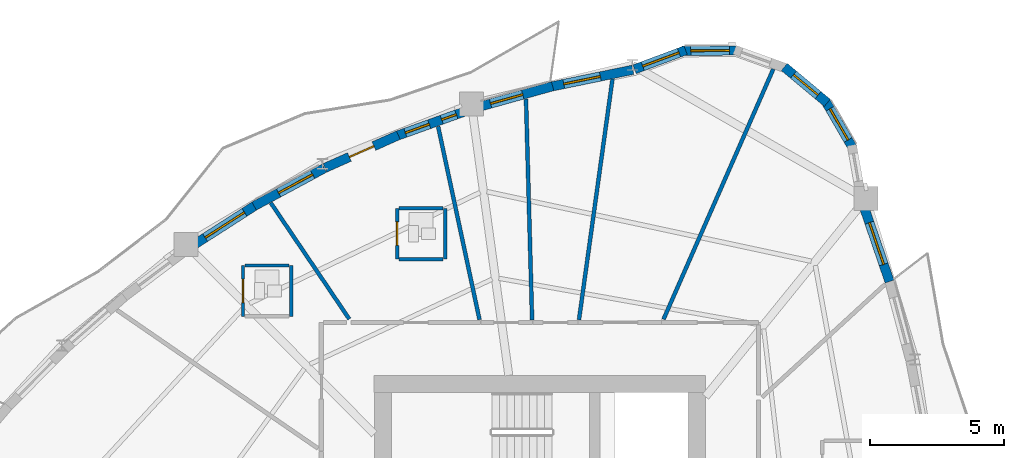
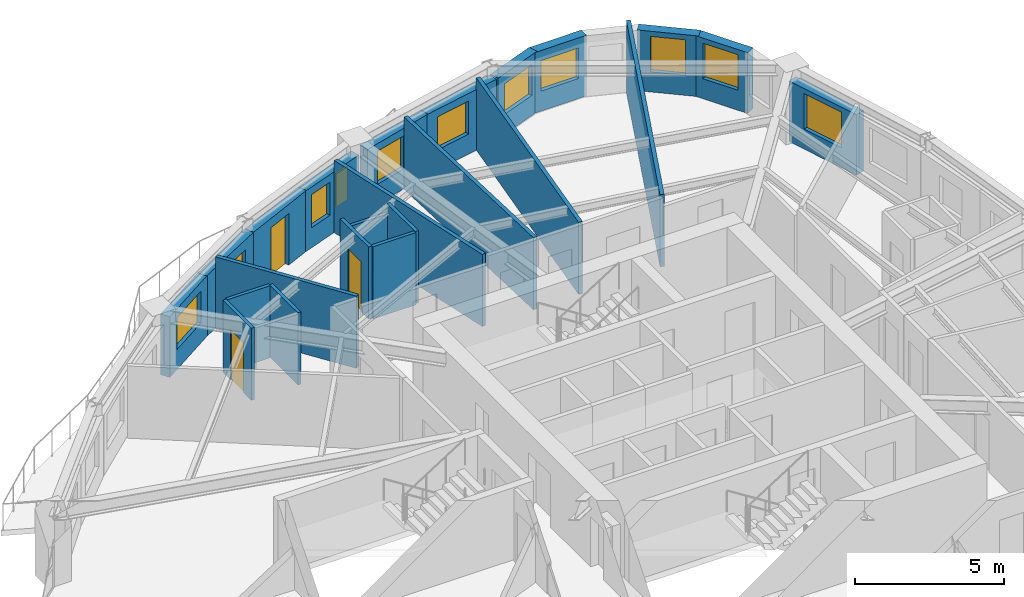
# One storey, part 9 of 14: 23 walls, 11 windows, 3 doors, 14 openings.
"""IFC4 building model written with IfcOpenShell, lengths in metres."""

import ifcopenshell
import ifcopenshell.guid

model = None  # the IFC model being written
_history = None  # IfcOwnerHistory: only IFC2X3 demands one
_inside = {}  # id of a spatial element -> (the spatial element, [elements in it])
_under = {}  # id of a project, library or spatial element -> (it, [spatial elements below it])
_declared = {}  # id of a project -> (the project, [libraries it declares])
_typed = {}  # id of a type object -> (the type object, [elements of that type])
_made_of = {}  # id of a material, layer set ... -> (it, [elements and type objects made of it])


def new_model(schema):
    """Start an empty IFC model of exactly this schema.

    Asked for "IFC4X3", IfcOpenShell would pick the latest addendum, in which some entities
    have other attributes; the version numbers below select the first issue.
    IFC2X3 requires an IfcOwnerHistory on every rooted entity: one is made here for all.
    """
    global model, _history
    if schema == "IFC4X3":
        model = ifcopenshell.file(schema_version=(4, 3, 0, 0))
    else:
        model = ifcopenshell.file(schema=schema)
    _inside.clear()
    _under.clear()
    _declared.clear()
    _typed.clear()
    _made_of.clear()
    _history = None
    if model.schema == "IFC2X3":
        org = make("IfcOrganization", Name="unknown")
        user = make(
            "IfcPersonAndOrganization",
            ThePerson=make("IfcPerson", FamilyName="unknown"),
            TheOrganization=org,
        )
        app = make(
            "IfcApplication",
            ApplicationDeveloper=org,
            Version="unknown",
            ApplicationFullName="unknown",
            ApplicationIdentifier="unknown",
        )
        _history = make(
            "IfcOwnerHistory",
            OwningUser=user,
            OwningApplication=app,
            ChangeAction="ADDED",
            CreationDate=0,
        )
    return model


def make(cls, **values):
    """One entity of the class cls with the attributes given. An attribute that is None is left unset."""
    return model.create_entity(
        cls, **{name: value for name, value in values.items() if value is not None}
    )


def rooted(cls, **values):
    """An entity with a GlobalId (a new one), such as an element, a storey or a relation."""
    return make(cls, GlobalId=ifcopenshell.guid.new(), OwnerHistory=_history, **values)


def si_unit(unit_type, name, prefix=None):
    """IfcSIUnit, for example si_unit("LENGTHUNIT", "METRE", prefix="MILLI")."""
    return make("IfcSIUnit", UnitType=unit_type, Prefix=prefix, Name=name)


def assignment(units):
    """IfcUnitAssignment: the units of a project."""
    return None if units is None else make("IfcUnitAssignment", Units=units)


def point(xyz):
    """IfcCartesianPoint."""
    return None if xyz is None else make("IfcCartesianPoint", Coordinates=xyz)


def direction(xyz):
    """IfcDirection."""
    return None if xyz is None else make("IfcDirection", DirectionRatios=xyz)


def frame(location, z_axis=None, x_axis=None):
    """IfcAxis2Placement3D, a coordinate frame: its origin and axes. An axis left out is left unset."""
    return make(
        "IfcAxis2Placement3D",
        Location=point(location),
        Axis=direction(z_axis),
        RefDirection=direction(x_axis),
    )


def frame_2d(location, x_axis=None):
    """IfcAxis2Placement2D, a coordinate frame in the plane: its origin and x axis."""
    return make(
        "IfcAxis2Placement2D", Location=point(location), RefDirection=direction(x_axis)
    )


def origin():
    """The frame at (0, 0, 0) with its axes left unset."""
    return frame((0.0, 0.0, 0.0))


def place(relative_to, where):
    """IfcLocalPlacement: puts the frame where relative to a parent placement (None: the world)."""
    return make(
        "IfcLocalPlacement", PlacementRelTo=relative_to, RelativePlacement=where
    )


def context(
    kind, dimensions, precision=None, world=None, true_north=None, identifier=None
):
    """IfcGeometricRepresentationContext, for example the 3D "Model" context."""
    return make(
        "IfcGeometricRepresentationContext",
        ContextIdentifier=identifier,
        ContextType=kind,
        CoordinateSpaceDimension=dimensions,
        Precision=precision,
        WorldCoordinateSystem=world,
        TrueNorth=true_north,
    )


def subcontext(parent, identifier, kind, view, scale=None):
    """IfcGeometricRepresentationSubContext, for example "Body" below "Model"."""
    return make(
        "IfcGeometricRepresentationSubContext",
        ContextIdentifier=identifier,
        ContextType=kind,
        ParentContext=parent,
        TargetScale=scale,
        TargetView=view,
    )


def project(units=None, contexts=None):
    """IfcProject with its units and contexts."""
    return rooted(
        "IfcProject",
        Name="project",
        RepresentationContexts=contexts,
        UnitsInContext=assignment(units),
    )


def spatial(cls, under=None, at=None, **own):
    """A site, building, storey or space (cls), placed at a placement, below another one or the project."""
    s = rooted(cls, ObjectPlacement=at, **own)
    if under is not None:
        _under.setdefault(under.id(), (under, []))[1].append(s)
    return s


def profile(cls, at=None, kind="AREA", **sizes):
    """A parametric profile (cls). Its sizes go by their IFC names, for example OverallWidth=200.0."""
    return make(cls, ProfileType=kind, Position=at, **sizes)


def rectangle(**sizes):
    """IfcRectangleProfileDef."""
    return profile("IfcRectangleProfileDef", **sizes)


def extrude(swept, where, along, depth):
    """IfcExtrudedAreaSolid: the profile swept, set in the frame where, extruded along a direction by depth."""
    return make(
        "IfcExtrudedAreaSolid",
        SweptArea=swept,
        Position=where,
        ExtrudedDirection=direction(along),
        Depth=depth,
    )


def shape(context_of_items, identifier, shape_type, items):
    """IfcShapeRepresentation: the items that make up one representation, for example the "Body"."""
    return make(
        "IfcShapeRepresentation",
        ContextOfItems=context_of_items,
        RepresentationIdentifier=identifier,
        RepresentationType=shape_type,
        Items=items,
    )


def source(mapping_origin, context_of_items, identifier, shape_type, items):
    """IfcRepresentationMap: a shape defined once, which mapped items show again and again."""
    return make(
        "IfcRepresentationMap",
        MappingOrigin=mapping_origin,
        MappedRepresentation=shape(context_of_items, identifier, shape_type, items),
    )


def transform(
    local_origin,
    x_axis=None,
    y_axis=None,
    z_axis=None,
    scale=None,
    scale2=None,
    scale3=None,
    uniform=True,
):
    """IfcCartesianTransformationOperator3D, or its non-uniform kind. x_axis, y_axis, z_axis: its Axis1, 2, 3."""
    if uniform:
        return make(
            "IfcCartesianTransformationOperator3D",
            Axis1=direction(x_axis),
            Axis2=direction(y_axis),
            LocalOrigin=point(local_origin),
            Scale=scale,
            Axis3=direction(z_axis),
        )
    return make(
        "IfcCartesianTransformationOperator3DnonUniform",
        Axis1=direction(x_axis),
        Axis2=direction(y_axis),
        LocalOrigin=point(local_origin),
        Scale=scale,
        Axis3=direction(z_axis),
        Scale2=scale2,
        Scale3=scale3,
    )


def mapped(mapping_source, mapping_target):
    """IfcMappedItem: shows the shape of a source again, moved by a transform."""
    return make(
        "IfcMappedItem", MappingSource=mapping_source, MappingTarget=mapping_target
    )


def material(Name=None, Category=None):
    """IfcMaterial."""
    return make("IfcMaterial", Name=Name, Category=Category)


def layer(
    of_material, thickness, ventilated=None, Name=None, Category=None, Priority=None
):
    """IfcMaterialLayer: one layer of a wall or slab, of a material (None: an air gap)."""
    return make(
        "IfcMaterialLayer",
        Material=of_material,
        LayerThickness=thickness,
        IsVentilated=ventilated,
        Name=Name,
        Category=Category,
        Priority=Priority,
    )


def layer_set(layers, Name=None):
    """IfcMaterialLayerSet."""
    return make("IfcMaterialLayerSet", MaterialLayers=layers, LayerSetName=Name)


def made_of(thing, what):
    """Note that an element or type object is made of a material, layer set ...; save() writes the relation."""
    if what is not None:
        _made_of.setdefault(what.id(), (what, []))[1].append(thing)
    return thing


def type_object(cls, material=None, **own):
    """A type object (cls), such as IfcWallType, which elements share."""
    return made_of(rooted(cls, **own), material)


def element(
    cls,
    number,
    at=None,
    inside=None,
    cuts=None,
    type_object=None,
    material=None,
    context=None,
    identifier="Body",
    shape_type=None,
    held_by="IfcProductDefinitionShape",
    body=None,
    shapes=None,
    **own,
):
    """One element of the class cls, such as IfcWall. Its Tag is "e" and its number.

    at: its placement. inside: the storey or other place that contains it. cuts: it is an
    opening in that element (IfcRelVoidsElement). A single representation is given by context,
    identifier, shape_type and body (its items); several are given by shapes. held_by: the class
    of the entity that holds the representations. save() writes the other relations.
    """
    e = rooted(cls, Tag="e%d" % number, ObjectPlacement=at, **own)
    if body is not None:
        shapes = [shape(context, identifier, shape_type, body)]
    if shapes is not None:
        e.Representation = make(held_by, Representations=shapes)
    if inside is not None:
        _inside.setdefault(inside.id(), (inside, []))[1].append(e)
    if cuts is not None:
        rooted(
            "IfcRelVoidsElement", RelatingBuildingElement=cuts, RelatedOpeningElement=e
        )
    if type_object is not None:
        _typed.setdefault(type_object.id(), (type_object, []))[1].append(e)
    return made_of(e, material)


def fill(opening, filler):
    """IfcRelFillsElement: the door or window that sits in an opening."""
    return rooted(
        "IfcRelFillsElement",
        RelatingOpeningElement=opening,
        RelatedBuildingElement=filler,
    )


def aggregate(whole, parts):
    """IfcRelAggregates: a whole, such as a stair, and the parts it consists of."""
    return rooted("IfcRelAggregates", RelatingObject=whole, RelatedObjects=parts)


def save(model, path):
    """Write the relations noted so far, then the file.

    IfcRelAggregates (storeys below a building ...), IfcRelContainedInSpatialStructure (elements
    in a storey), IfcRelDefinesByType, IfcRelAssociatesMaterial and IfcRelDeclares: one each for
    every whole, place, type object, material and project.
    """
    for whole, parts in _under.values():
        aggregate(whole, parts)
    for where, things in _inside.values():
        rooted(
            "IfcRelContainedInSpatialStructure",
            RelatedElements=things,
            RelatingStructure=where,
        )
    for kind, things in _typed.values():
        rooted("IfcRelDefinesByType", RelatedObjects=things, RelatingType=kind)
    for what, things in _made_of.values():
        rooted("IfcRelAssociatesMaterial", RelatedObjects=things, RelatingMaterial=what)
    for by, libraries in _declared.values():
        rooted("IfcRelDeclares", RelatingContext=by, RelatedDefinitions=libraries)
    model.write(path)


model = new_model("IFC4")

# Units and contexts
model_context = context("Model", 3, precision=1e-05, world=origin(), true_north=direction((0.0, 1.0)))
body_context = subcontext(model_context, "Body", "Model", "MODEL_VIEW")
ifc_project = project(units=[si_unit("LENGTHUNIT", "METRE"), si_unit("AREAUNIT", "SQUARE_METRE"), si_unit("VOLUMEUNIT", "CUBIC_METRE"), si_unit("PLANEANGLEUNIT", "RADIAN"), si_unit("MASSUNIT", "GRAM", prefix="KILO")], contexts=[model_context])

# Site, building, storey
site_placement = place(None, origin())
site = spatial("IfcSite", under=ifc_project, at=site_placement, CompositionType="ELEMENT")
building_placement = place(site_placement, origin())
building = spatial("IfcBuilding", under=site, at=building_placement, Name="Qafzar Sky-Pleat Residences", CompositionType="ELEMENT")
storey_placement = place(building_placement, frame((0.0, 0.0, 73.60009765625)))
storey = spatial("IfcBuildingStorey", under=building, at=storey_placement, Name="L21", CompositionType="ELEMENT", Elevation=73.60009765625)

# Walls
ifc_material_1 = material(Name="Acoustic gypsum plasterboard partition", Category="gypsum")
ifc_layer_1 = layer(ifc_material_1, 0.14501953125)
ifc_layer_set_1 = layer_set([ifc_layer_1], Name="Acoustic gypsum plasterboard partition")
wall_type_1 = type_object("IfcWallType", Name="PART-UNIT-145", PredefinedType="PARTITIONING", material=ifc_layer_set_1)
wall_1_placement = place(storey_placement, frame((34.97705078125, 36.54638671875, 0.0), z_axis=(0.0, 0.0, 1.0), x_axis=(0.40175384449, 0.915747699117, 0.0)))
element("IfcWall", 1, at=wall_1_placement, inside=storey, type_object=wall_type_1, Name="L21 Partition Wall PART-L21-PW-027", PredefinedType="PARTITIONING", context=body_context, shape_type="SweptSolid", body=[
    extrude(rectangle(XDim=10.229736328125, YDim=0.14501953125, at=frame_2d((5.11474609375, 0.0))), origin(), (0.0, 0.0, 1.0), 2.949951171875),
])
wall_2_placement = place(storey_placement, frame((31.813720703125, 36.52783203125, 0.0), z_axis=(0.0, 0.0, 1.0), x_axis=(0.137724115974, 0.990470629488, 0.0)))
element("IfcWall", 2, at=wall_2_placement, inside=storey, type_object=wall_type_1, Name="L21 Partition Wall PART-L21-PW-029", PredefinedType="PARTITIONING", context=body_context, shape_type="SweptSolid", body=[
    extrude(rectangle(XDim=9.09912109375, YDim=0.14501953125, at=frame_2d((4.549560546875, 0.0))), origin(), (0.0, 0.0, 1.0), 2.949951171875),
])
wall_3_placement = place(storey_placement, frame((29.830078125, 44.785400390625, 0.0), z_axis=(0.0, 0.0, 1.0), x_axis=(0.027636759054, -0.999618031825, 0.0)))
element("IfcWall", 3, at=wall_3_placement, inside=storey, type_object=wall_type_1, Name="L21 Partition Wall PART-L21-PW-032", PredefinedType="PARTITIONING", context=body_context, shape_type="SweptSolid", body=[
    extrude(rectangle(XDim=8.2685546875, YDim=0.14501953125, at=frame_2d((4.13427734375, 0.0))), origin(), (0.0, 0.0, 1.0), 2.949951171875),
])
wall_4_placement = place(storey_placement, frame((26.541015625, 43.765625, 0.0), z_axis=(0.0, 0.0, 1.0), x_axis=(0.209522326513, -0.9778038631, 0.0)))
element("IfcWall", 4, at=wall_4_placement, inside=storey, type_object=wall_type_1, Name="L21 Partition Wall PART-L21-PW-034", PredefinedType="PARTITIONING", context=body_context, shape_type="SweptSolid", body=[
    extrude(rectangle(XDim=7.396728515625, YDim=0.14501953125, at=frame_2d((3.6982421875, 0.0))), origin(), (0.0, 0.0, 1.0), 2.949951171875),
])
wall_5_placement = place(storey_placement, frame((20.277099609375, 40.90625, 0.0), z_axis=(0.0, 0.0, 1.0), x_axis=(0.559905741259, -0.828556311246, 0.0)))
element("IfcWall", 5, at=wall_5_placement, inside=storey, type_object=wall_type_1, Name="L21 Partition Wall PART-L21-PW-041", PredefinedType="PARTITIONING", context=body_context, shape_type="SweptSolid", body=[
    extrude(rectangle(XDim=5.2490234375, YDim=0.14501953125, at=frame_2d((2.62451171875, 0.0))), origin(), (0.0, 0.0, 1.0), 2.949951171875),
])

# Wall, opening, door
ifc_material_2 = material(Name="Moisture-resistant gypsum partition", Category="gypsum")
ifc_layer_2 = layer(ifc_material_2, 0.1298828125)
ifc_layer_set_2 = layer_set([ifc_layer_2], Name="Moisture-resistant gypsum partition")
wall_type_2 = type_object("IfcWallType", Name="PART-WET-130", PredefinedType="PARTITIONING", material=ifc_layer_set_2)
wall_6_placement = place(storey_placement, frame((25.0048828125, 40.700927734375, 0.0), z_axis=(0.0, 0.0, 1.0), x_axis=(0.0, -1.0, 0.0)))
wall_6 = element("IfcWall", 6, at=wall_6_placement, inside=storey, type_object=wall_type_2, Name="L21 Partition Wall PART-L21-PW-018", PredefinedType="PARTITIONING", context=body_context, shape_type="SweptSolid", body=[
    extrude(rectangle(XDim=1.89990234375, YDim=0.1298828125, at=frame_2d((0.949951171875, 0.0))), origin(), (0.0, 0.0, 1.0), 2.949951171875),
])
opening_1_placement = place(wall_6_placement, frame((0.510009765625, 0.0, 0.0)))
opening_1 = element("IfcOpeningElement", 7, at=opening_1_placement, cuts=wall_6, Name="Opening ID-07", PredefinedType="OPENING", context=body_context, shape_type="SweptSolid", body=[
    extrude(rectangle(XDim=0.8798828125, YDim=2.050048828125, at=frame_2d((0.43994140625, 1.02490234375))), frame((0.0, 0.074951171875, 0.0), z_axis=(0.0, -1.0, 0.0), x_axis=(1.0, 0.0, 0.0)), (0.0, 0.0, 1.0), 0.14990234375),
])
ifc_material_3 = material(Name="Timber-faced fire door", Category="wood")
door_type_1 = type_object("IfcDoorType", Name="DR-WET-880", OperationType="NOTDEFINED", PredefinedType="DOOR", material=ifc_material_3)
shared_shape_1 = source(origin(), body_context, "Body", "SweptSolid", [
    extrude(rectangle(XDim=0.8798828125, YDim=2.050048828125, at=frame_2d((0.43994140625, 1.02490234375))), frame((0.0, 0.02490234375, 0.0), z_axis=(0.0, -1.0, 0.0), x_axis=(1.0, 0.0, 0.0)), (0.0, 0.0, 1.0), 0.050048828125),
])
door_1_placement = place(opening_1_placement, origin())
door_1 = element("IfcDoor", 8, at=door_1_placement, inside=storey, type_object=door_type_1, Name="L21 En-suite Bathroom 3 Door", OperationType="SINGLE_SWING_RIGHT", OverallHeight=2.050048828125, OverallWidth=0.8798828125, PredefinedType="DOOR", context=body_context, shape_type="MappedRepresentation", body=[
    mapped(shared_shape_1, transform((0.0, 0.0, 0.0), x_axis=(1.0, 0.0, 0.0), y_axis=(0.0, 1.0, 0.0), z_axis=(0.0, 0.0, 1.0), scale=1.0)),
])
fill(opening_1, door_1)

wall_7_placement = place(storey_placement, frame((19.237060546875, 38.56103515625, 0.0), z_axis=(0.0, 0.0, 1.0), x_axis=(0.0, -1.0, 0.0)))
wall_7 = element("IfcWall", 9, at=wall_7_placement, inside=storey, type_object=wall_type_2, Name="L21 Partition Wall PART-L21-PW-019", PredefinedType="PARTITIONING", context=body_context, shape_type="SweptSolid", body=[
    extrude(rectangle(XDim=1.900146484375, YDim=0.1298828125, at=frame_2d((0.9501953125, 0.0))), origin(), (0.0, 0.0, 1.0), 2.949951171875),
])
opening_2_placement = place(wall_7_placement, frame((0.510009765625, 0.0, 0.0)))
opening_2 = element("IfcOpeningElement", 10, at=opening_2_placement, cuts=wall_7, Name="Opening ID-07", PredefinedType="OPENING", context=body_context, shape_type="SweptSolid", body=[
    extrude(rectangle(XDim=0.8798828125, YDim=2.050048828125, at=frame_2d((0.43994140625, 1.02490234375))), frame((0.0, 0.074951171875, 0.0), z_axis=(0.0, -1.0, 0.0), x_axis=(1.0, 0.0, 0.0)), (0.0, 0.0, 1.0), 0.14990234375),
])
door_2_placement = place(opening_2_placement, origin())
door_2 = element("IfcDoor", 11, at=door_2_placement, inside=storey, type_object=door_type_1, Name="L21 En-suite Bathroom 4 Door", OperationType="SINGLE_SWING_LEFT", OverallHeight=2.050048828125, OverallWidth=0.8798828125, PredefinedType="DOOR", context=body_context, shape_type="MappedRepresentation", body=[
    mapped(shared_shape_1, transform((0.0, 0.0, 0.0), x_axis=(1.0, 0.0, 0.0), y_axis=(0.0, 1.0, 0.0), z_axis=(0.0, 0.0, 1.0), scale=1.0)),
])
fill(opening_2, door_2)

# Walls
wall_8_placement = place(storey_placement, frame((26.804931640625, 38.801025390625, 0.0), z_axis=(0.0, 0.0, 1.0), x_axis=(0.0, 1.0, 0.0)))
element("IfcWall", 12, at=wall_8_placement, inside=storey, type_object=wall_type_2, Name="L21 Partition Wall PART-L21-PW-048", PredefinedType="PARTITIONING", context=body_context, shape_type="SweptSolid", body=[
    extrude(rectangle(XDim=1.89990234375, YDim=0.1298828125, at=frame_2d((0.949951171875, 0.0))), origin(), (0.0, 0.0, 1.0), 2.949951171875),
])
wall_9_placement = place(storey_placement, frame((21.037109375, 36.660888671875, 0.0), z_axis=(0.0, 0.0, 1.0), x_axis=(0.0, 1.0, 0.0)))
element("IfcWall", 13, at=wall_9_placement, inside=storey, type_object=wall_type_2, Name="L21 Partition Wall PART-L21-PW-049", PredefinedType="PARTITIONING", context=body_context, shape_type="SweptSolid", body=[
    extrude(rectangle(XDim=1.900146484375, YDim=0.1298828125, at=frame_2d((0.9501953125, 0.0))), origin(), (0.0, 0.0, 1.0), 2.949951171875),
])
wall_10_placement = place(storey_placement, frame((25.077880859375, 40.700927734375, 0.0), z_axis=(0.0, 0.0, 1.0), x_axis=(1.0, 0.0, 0.0)))
element("IfcWall", 14, at=wall_10_placement, inside=storey, type_object=wall_type_2, Name="L21 Partition Wall PART-L21-PW-054", PredefinedType="PARTITIONING", context=body_context, shape_type="SweptSolid", body=[
    extrude(rectangle(XDim=1.654052734375, YDim=0.1298828125, at=frame_2d((0.8271484375, 0.0))), origin(), (0.0, 0.0, 1.0), 2.557861328125),
])
for number, where, z_axis, x_axis, name in (
    (15, (25.077880859375, 38.801025390625, 0.0), (0.0, 0.0, 1.0), (1.0, 0.0, 0.0), "L21 Partition Wall PART-L21-PW-055"),
    (16, (19.31005859375, 38.56103515625, 0.0), (0.0, 0.0, 1.0), (1.0, 0.0, 0.0), "L21 Partition Wall PART-L21-PW-056"),
):
    element("IfcWall", number, at=place(storey_placement, frame(where, z_axis=z_axis, x_axis=x_axis)), inside=storey, type_object=wall_type_2, Name=name, PredefinedType="PARTITIONING", context=body_context, shape_type="SweptSolid", body=[
        extrude(rectangle(XDim=1.654052734375, YDim=0.1298828125, at=frame_2d((0.8271484375, 0.0))), origin(), (0.0, 0.0, 1.0), 2.949951171875),
    ])

# Wall, opening, window
ifc_material_4 = material(Name="Precast concrete C40/50 with honed Riyadh limestone", Category="concrete")
ifc_layer_3 = layer(ifc_material_4, 0.35009765625)
ifc_layer_set_3 = layer_set([ifc_layer_3], Name="Precast concrete C40/50 with honed Riyadh limestone")
wall_type_3 = type_object("IfcWallType", Name="WALL-EXT-350", PredefinedType="SOLIDWALL", material=ifc_layer_set_3)
wall_11_placement = place(storey_placement, frame((43.437255859375, 37.9609375, 0.0), z_axis=(0.0, 0.0, 1.0), x_axis=(-0.323572555921, 0.946203361363, 0.0)))
wall_11 = element("IfcWall", 17, at=wall_11_placement, inside=storey, type_object=wall_type_3, Name="L21 Limestone Facade Wall 32", PredefinedType="SOLIDWALL", context=body_context, shape_type="SweptSolid", body=[
    extrude(rectangle(XDim=2.997802734375, YDim=0.35009765625, at=frame_2d((1.4990234375, 0.0))), origin(), (0.0, 0.0, 1.0), 2.47998046875),
])
opening_3_placement = place(wall_11_placement, frame((0.6787109375, 0.0, 0.820068359375)))
opening_3 = element("IfcOpeningElement", 18, at=opening_3_placement, cuts=wall_11, Name="Opening WN-02", PredefinedType="OPENING", context=body_context, shape_type="SweptSolid", body=[
    extrude(rectangle(XDim=1.64990234375, YDim=1.449951171875, at=frame_2d((0.824951171875, 0.72509765625))), frame((0.0, 0.18505859375, 0.0), z_axis=(0.0, -1.0, 0.0), x_axis=(1.0, 0.0, 0.0)), (0.0, 0.0, 1.0), 0.3701171875),
])
ifc_material_5 = material(Name="Solar-control low-E glass in bronze aluminium frame", Category="glass")
window_type_1 = type_object("IfcWindowType", Name="WIN-02", PartitioningType="DOUBLE_PANEL_VERTICAL", PredefinedType="WINDOW", material=ifc_material_5)
shared_shape_2 = source(origin(), body_context, "Body", "SweptSolid", [
    extrude(rectangle(XDim=1.64990234375, YDim=1.449951171875, at=frame_2d((0.824951171875, 0.72509765625))), frame((0.0, 0.030029296875, 0.0), z_axis=(0.0, -1.0, 0.0), x_axis=(1.0, 0.0, 0.0)), (0.0, 0.0, 1.0), 0.06005859375),
])
window_1_placement = place(opening_3_placement, origin())
window_1 = element("IfcWindow", 19, at=window_1_placement, inside=storey, type_object=window_type_1, Name="L21 Punched Facade Window 32", OverallHeight=1.449951171875, OverallWidth=1.64990234375, PartitioningType="SINGLE_PANEL", PredefinedType="WINDOW", context=body_context, shape_type="MappedRepresentation", body=[
    mapped(shared_shape_2, transform((0.0, 0.0, 0.0), x_axis=(1.0, 0.0, 0.0), y_axis=(0.0, 1.0, 0.0), z_axis=(0.0, 0.0, 1.0), scale=1.0)),
])
fill(opening_3, window_1)

wall_12_placement = place(storey_placement, frame((42.074951171875, 42.93798828125, 0.0), z_axis=(0.0, 0.0, 1.0), x_axis=(-0.501902596059, 0.864924149315, 0.0)))
wall_12 = element("IfcWall", 20, at=wall_12_placement, inside=storey, type_object=wall_type_3, Name="L21 Limestone Facade Wall 34", PredefinedType="SOLIDWALL", context=body_context, shape_type="SweptSolid", body=[
    extrude(rectangle(XDim=2.098876953125, YDim=0.35009765625, at=frame_2d((1.04931640625, 0.0))), origin(), (0.0, 0.0, 1.0), 2.47998046875),
])
opening_4_placement = place(wall_12_placement, frame((0.37451171875, 0.0, 0.820068359375)))
opening_4 = element("IfcOpeningElement", 21, at=opening_4_placement, cuts=wall_12, Name="Opening WN-04", PredefinedType="OPENING", context=body_context, shape_type="SweptSolid", body=[
    extrude(rectangle(XDim=1.35009765625, YDim=1.449951171875, at=frame_2d((0.675048828125, 0.72509765625))), frame((0.0, 0.18505859375, 0.0), z_axis=(0.0, -1.0, 0.0), x_axis=(1.0, 0.0, 0.0)), (0.0, 0.0, 1.0), 0.3701171875),
])
window_type_2 = type_object("IfcWindowType", Name="WIN-04", PartitioningType="SINGLE_PANEL", PredefinedType="WINDOW", material=ifc_material_5)
shared_shape_3 = source(origin(), body_context, "Body", "SweptSolid", [
    extrude(rectangle(XDim=1.35009765625, YDim=1.449951171875, at=frame_2d((0.675048828125, 0.72509765625))), frame((0.0, 0.030029296875, 0.0), z_axis=(0.0, -1.0, 0.0), x_axis=(1.0, 0.0, 0.0)), (0.0, 0.0, 1.0), 0.06005859375),
])
window_2_placement = place(opening_4_placement, origin())
window_2 = element("IfcWindow", 22, at=window_2_placement, inside=storey, type_object=window_type_2, Name="L21 Punched Facade Window 34", OverallHeight=1.449951171875, OverallWidth=1.35009765625, PartitioningType="SINGLE_PANEL", PredefinedType="WINDOW", context=body_context, shape_type="MappedRepresentation", body=[
    mapped(shared_shape_3, transform((0.0, 0.0, 0.0), x_axis=(1.0, 0.0, 0.0), y_axis=(0.0, 1.0, 0.0), z_axis=(0.0, 0.0, 1.0), scale=1.0)),
])
fill(opening_4, window_2)

wall_13_placement = place(storey_placement, frame((41.10888671875, 44.649658203125, 0.0), z_axis=(0.0, 0.0, 1.0), x_axis=(-0.768450068703, 0.639909752942, 0.0)))
wall_13 = element("IfcWall", 23, at=wall_13_placement, inside=storey, type_object=wall_type_3, Name="L21 Limestone Facade Wall 35", PredefinedType="SOLIDWALL", context=body_context, shape_type="SweptSolid", body=[
    extrude(rectangle(XDim=2.098876953125, YDim=0.35009765625, at=frame_2d((1.04931640625, 0.0))), origin(), (0.0, 0.0, 1.0), 2.47998046875),
])
opening_5_placement = place(wall_13_placement, frame((0.449462890625, 0.0, 0.820068359375)))
opening_5 = element("IfcOpeningElement", 24, at=opening_5_placement, cuts=wall_13, Name="Opening WN-05", PredefinedType="OPENING", context=body_context, shape_type="SweptSolid", body=[
    extrude(rectangle(XDim=1.199951171875, YDim=1.449951171875, at=frame_2d((0.60009765625, 0.72509765625))), frame((0.0, 0.18505859375, 0.0), z_axis=(0.0, -1.0, 0.0), x_axis=(1.0, 0.0, 0.0)), (0.0, 0.0, 1.0), 0.3701171875),
])
window_type_3 = type_object("IfcWindowType", Name="WIN-05", PartitioningType="SINGLE_PANEL", PredefinedType="WINDOW", material=ifc_material_5)
shared_shape_4 = source(origin(), body_context, "Body", "SweptSolid", [
    extrude(rectangle(XDim=1.199951171875, YDim=1.449951171875, at=frame_2d((0.60009765625, 0.72509765625))), frame((0.0, 0.030029296875, 0.0), z_axis=(0.0, -1.0, 0.0), x_axis=(1.0, 0.0, 0.0)), (0.0, 0.0, 1.0), 0.06005859375),
])
window_3_placement = place(opening_5_placement, origin())
window_3 = element("IfcWindow", 25, at=window_3_placement, inside=storey, type_object=window_type_3, Name="L21 Punched Facade Window 35", OverallHeight=1.449951171875, OverallWidth=1.199951171875, PartitioningType="SINGLE_PANEL", PredefinedType="WINDOW", context=body_context, shape_type="MappedRepresentation", body=[
    mapped(shared_shape_4, transform((0.0, 0.0, 0.0), x_axis=(1.0, 0.0, 0.0), y_axis=(0.0, 1.0, 0.0), z_axis=(0.0, 0.0, 1.0), scale=1.0)),
])
fill(opening_5, window_3)

wall_14_placement = place(storey_placement, frame((37.771728515625, 46.610107421875, 0.0), z_axis=(0.0, 0.0, 1.0), x_axis=(-0.999976451414, -0.006862697526, 0.0)))
wall_14 = element("IfcWall", 26, at=wall_14_placement, inside=storey, type_object=wall_type_3, Name="L21 Limestone Facade Wall 37", PredefinedType="SOLIDWALL", context=body_context, shape_type="SweptSolid", body=[
    extrude(rectangle(XDim=2.098876953125, YDim=0.35009765625, at=frame_2d((1.04931640625, 0.0))), origin(), (0.0, 0.0, 1.0), 2.47998046875),
])
opening_6_placement = place(wall_14_placement, frame((0.324462890625, 0.0, 0.820068359375)))
opening_6 = element("IfcOpeningElement", 27, at=opening_6_placement, cuts=wall_14, Name="Opening WN-15", PredefinedType="OPENING", context=body_context, shape_type="SweptSolid", body=[
    extrude(rectangle(XDim=1.449951171875, YDim=1.25, at=frame_2d((0.72509765625, 0.625))), frame((0.0, 0.18505859375, 0.0), z_axis=(0.0, -1.0, 0.0), x_axis=(1.0, 0.0, 0.0)), (0.0, 0.0, 1.0), 0.3701171875),
])
window_type_4 = type_object("IfcWindowType", Name="WIN-15", PartitioningType="SINGLE_PANEL", PredefinedType="WINDOW", material=ifc_material_5)
shared_shape_5 = source(origin(), body_context, "Body", "SweptSolid", [
    extrude(rectangle(XDim=1.449951171875, YDim=1.25, at=frame_2d((0.72509765625, 0.625))), frame((0.0, 0.030029296875, 0.0), z_axis=(0.0, -1.0, 0.0), x_axis=(1.0, 0.0, 0.0)), (0.0, 0.0, 1.0), 0.06005859375),
])
window_4_placement = place(opening_6_placement, origin())
window_4 = element("IfcWindow", 28, at=window_4_placement, inside=storey, type_object=window_type_4, Name="L21 Punched Facade Window 37", OverallHeight=1.25, OverallWidth=1.449951171875, PartitioningType="SINGLE_PANEL", PredefinedType="WINDOW", context=body_context, shape_type="MappedRepresentation", body=[
    mapped(shared_shape_5, transform((0.0, 0.0, 0.0), x_axis=(1.0, 0.0, 0.0), y_axis=(0.0, 1.0, 0.0), z_axis=(0.0, 0.0, 1.0), scale=1.0)),
])
fill(opening_6, window_4)

wall_15_placement = place(storey_placement, frame((35.806396484375, 46.6201171875, 0.0), z_axis=(0.0, 0.0, 1.0), x_axis=(-0.936863987578, -0.34969396446, 0.0)))
wall_15 = element("IfcWall", 29, at=wall_15_placement, inside=storey, type_object=wall_type_3, Name="L21 Limestone Facade Wall 38", PredefinedType="SOLIDWALL", context=body_context, shape_type="SweptSolid", body=[
    extrude(rectangle(XDim=2.040771484375, YDim=0.35009765625, at=frame_2d((1.0205078125, 0.0))), origin(), (0.0, 0.0, 1.0), 2.47998046875),
])
opening_7_placement = place(wall_15_placement, frame((0.265380859375, 0.0, 0.820068359375)))
opening_7 = element("IfcOpeningElement", 30, at=opening_7_placement, cuts=wall_15, Name="Opening WN-15", PredefinedType="OPENING", context=body_context, shape_type="SweptSolid", body=[
    extrude(rectangle(XDim=1.449951171875, YDim=1.25, at=frame_2d((0.72509765625, 0.625))), frame((0.0, 0.18505859375, 0.0), z_axis=(0.0, -1.0, 0.0), x_axis=(1.0, 0.0, 0.0)), (0.0, 0.0, 1.0), 0.3701171875),
])
window_5_placement = place(opening_7_placement, origin())
window_5 = element("IfcWindow", 31, at=window_5_placement, inside=storey, type_object=window_type_4, Name="L21 Punched Facade Window 38", OverallHeight=1.25, OverallWidth=1.449951171875, PartitioningType="SINGLE_PANEL", PredefinedType="WINDOW", context=body_context, shape_type="MappedRepresentation", body=[
    mapped(shared_shape_5, transform((0.0, 0.0, 0.0), x_axis=(1.0, 0.0, 0.0), y_axis=(0.0, 1.0, 0.0), z_axis=(0.0, 0.0, 1.0), scale=1.0)),
])
fill(opening_7, window_5)

wall_16_placement = place(storey_placement, frame((33.830322265625, 45.887939453125, 0.0), z_axis=(0.0, 0.0, 1.0), x_axis=(-0.979439051097, -0.201740291429, 0.0)))
wall_16 = element("IfcWall", 32, at=wall_16_placement, inside=storey, type_object=wall_type_3, Name="L21 Limestone Facade Wall 39", PredefinedType="SOLIDWALL", context=body_context, shape_type="SweptSolid", body=[
    extrude(rectangle(XDim=3.15380859375, YDim=0.35009765625, at=frame_2d((1.576904296875, 0.0))), origin(), (0.0, 0.0, 1.0), 2.47998046875),
])
opening_8_placement = place(wall_16_placement, frame((1.241943359375, 0.0, 0.820068359375)))
opening_8 = element("IfcOpeningElement", 33, at=opening_8_placement, cuts=wall_16, Name="Opening WN-10", PredefinedType="OPENING", context=body_context, shape_type="SweptSolid", body=[
    extrude(rectangle(XDim=1.39990234375, YDim=1.35009765625, at=frame_2d((0.699951171875, 0.675048828125))), frame((0.0, 0.18505859375, 0.0), z_axis=(0.0, -1.0, 0.0), x_axis=(1.0, 0.0, 0.0)), (0.0, 0.0, 1.0), 0.3701171875),
])
window_type_5 = type_object("IfcWindowType", Name="WIN-10", PartitioningType="SINGLE_PANEL", PredefinedType="WINDOW", material=ifc_material_5)
shared_shape_6 = source(origin(), body_context, "Body", "SweptSolid", [
    extrude(rectangle(XDim=1.39990234375, YDim=1.35009765625, at=frame_2d((0.699951171875, 0.675048828125))), frame((0.0, 0.030029296875, 0.0), z_axis=(0.0, -1.0, 0.0), x_axis=(1.0, 0.0, 0.0)), (0.0, 0.0, 1.0), 0.06005859375),
])
window_6_placement = place(opening_8_placement, origin())
window_6 = element("IfcWindow", 34, at=window_6_placement, inside=storey, type_object=window_type_5, Name="L21 Punched Facade Window 39-2", OverallHeight=1.35009765625, OverallWidth=1.39990234375, PartitioningType="SINGLE_PANEL", PredefinedType="WINDOW", context=body_context, shape_type="MappedRepresentation", body=[
    mapped(shared_shape_6, transform((0.0, 0.0, 0.0), x_axis=(1.0, 0.0, 0.0), y_axis=(0.0, 1.0, 0.0), z_axis=(0.0, 0.0, 1.0), scale=1.0)),
])
fill(opening_8, window_6)

wall_17_placement = place(storey_placement, frame((30.8271484375, 45.2724609375, 0.0), z_axis=(0.0, 0.0, 1.0), x_axis=(-0.963061576901, -0.269281263918, 0.0)))
wall_17 = element("IfcWall", 35, at=wall_17_placement, inside=storey, type_object=wall_type_3, Name="L21 Limestone Facade Wall 40", PredefinedType="SOLIDWALL", context=body_context, shape_type="SweptSolid", body=[
    extrude(rectangle(XDim=2.883056640625, YDim=0.35009765625, at=frame_2d((1.44140625, 0.0))), origin(), (0.0, 0.0, 1.0), 2.47998046875),
])
opening_9_placement = place(wall_17_placement, frame((1.162841796875, 0.0, 0.820068359375)))
opening_9 = element("IfcOpeningElement", 36, at=opening_9_placement, cuts=wall_17, Name="Opening WN-11", PredefinedType="OPENING", context=body_context, shape_type="SweptSolid", body=[
    extrude(rectangle(XDim=1.25, YDim=1.35009765625, at=frame_2d((0.625, 0.675048828125))), frame((0.0, 0.18505859375, 0.0), z_axis=(0.0, -1.0, 0.0), x_axis=(1.0, 0.0, 0.0)), (0.0, 0.0, 1.0), 0.3701171875),
])
window_type_6 = type_object("IfcWindowType", Name="WIN-11", PartitioningType="SINGLE_PANEL", PredefinedType="WINDOW", material=ifc_material_5)
shared_shape_7 = source(origin(), body_context, "Body", "SweptSolid", [
    extrude(rectangle(XDim=1.25, YDim=1.35009765625, at=frame_2d((0.625, 0.675048828125))), frame((0.0, 0.030029296875, 0.0), z_axis=(0.0, -1.0, 0.0), x_axis=(1.0, 0.0, 0.0)), (0.0, 0.0, 1.0), 0.06005859375),
])
window_7_placement = place(opening_9_placement, origin())
window_7 = element("IfcWindow", 37, at=window_7_placement, inside=storey, type_object=window_type_6, Name="L21 Punched Facade Window 40-2", OverallHeight=1.35009765625, OverallWidth=1.25, PartitioningType="SINGLE_PANEL", PredefinedType="WINDOW", context=body_context, shape_type="MappedRepresentation", body=[
    mapped(shared_shape_7, transform((0.0, 0.0, 0.0), x_axis=(1.0, 0.0, 0.0), y_axis=(0.0, 1.0, 0.0), z_axis=(0.0, 0.0, 1.0), scale=1.0)),
])
fill(opening_9, window_7)

# Wall, openings, windows
wall_18_placement = place(storey_placement, frame((27.63427734375, 44.363037109375, 0.0), z_axis=(0.0, 0.0, 1.0), x_axis=(-0.941122275829, -0.3380663573, 0.0)))
wall_18 = element("IfcWall", 38, at=wall_18_placement, inside=storey, type_object=wall_type_3, Name="L21 Limestone Facade Wall 41", PredefinedType="SOLIDWALL", context=body_context, shape_type="SweptSolid", body=[
    extrude(rectangle(XDim=2.8330078125, YDim=0.35009765625, at=frame_2d((1.41650390625, 0.0))), origin(), (0.0, 0.0, 1.0), 2.47998046875),
])
opening_10_placement = place(wall_18_placement, frame((0.438720703125, 0.0, 0.820068359375)))
opening_10 = element("IfcOpeningElement", 39, at=opening_10_placement, cuts=wall_18, Name="Opening WN-17", PredefinedType="OPENING", context=body_context, shape_type="SweptSolid", body=[
    extrude(rectangle(XDim=0.580078125, YDim=1.35009765625, at=frame_2d((0.2900390625, 0.675048828125))), frame((0.0, 0.18505859375, 0.0), z_axis=(0.0, -1.0, 0.0), x_axis=(1.0, 0.0, 0.0)), (0.0, 0.0, 1.0), 0.3701171875),
])
opening_11_placement = place(wall_18_placement, frame((1.515380859375, 0.0, 0.820068359375)))
opening_11 = element("IfcOpeningElement", 40, at=opening_11_placement, cuts=wall_18, Name="Opening WN-12", PredefinedType="OPENING", context=body_context, shape_type="SweptSolid", body=[
    extrude(rectangle(XDim=0.949951171875, YDim=1.35009765625, at=frame_2d((0.47509765625, 0.675048828125))), frame((0.0, 0.18505859375, 0.0), z_axis=(0.0, -1.0, 0.0), x_axis=(1.0, 0.0, 0.0)), (0.0, 0.0, 1.0), 0.3701171875),
])
window_type_7 = type_object("IfcWindowType", Name="WIN-12", PartitioningType="SINGLE_PANEL", PredefinedType="WINDOW", material=ifc_material_5)
shared_shape_8 = source(origin(), body_context, "Body", "SweptSolid", [
    extrude(rectangle(XDim=0.949951171875, YDim=1.35009765625, at=frame_2d((0.47509765625, 0.675048828125))), frame((0.0, 0.030029296875, 0.0), z_axis=(0.0, -1.0, 0.0), x_axis=(1.0, 0.0, 0.0)), (0.0, 0.0, 1.0), 0.06005859375),
])
window_8_placement = place(opening_11_placement, origin())
window_8 = element("IfcWindow", 41, at=window_8_placement, inside=storey, type_object=window_type_7, Name="L21 Punched Facade Window 41-2", OverallHeight=1.35009765625, OverallWidth=0.949951171875, PartitioningType="SINGLE_PANEL", PredefinedType="WINDOW", context=body_context, shape_type="MappedRepresentation", body=[
    mapped(shared_shape_8, transform((0.0, 0.0, 0.0), x_axis=(1.0, 0.0, 0.0), y_axis=(0.0, 1.0, 0.0), z_axis=(0.0, 0.0, 1.0), scale=1.0)),
])
fill(opening_11, window_8)
window_type_8 = type_object("IfcWindowType", Name="WIN-17", PartitioningType="SINGLE_PANEL", PredefinedType="WINDOW", material=ifc_material_5)
shared_shape_9 = source(origin(), body_context, "Body", "SweptSolid", [
    extrude(rectangle(XDim=0.580078125, YDim=1.35009765625, at=frame_2d((0.2900390625, 0.675048828125))), frame((0.0, 0.030029296875, 0.0), z_axis=(0.0, -1.0, 0.0), x_axis=(1.0, 0.0, 0.0)), (0.0, 0.0, 1.0), 0.06005859375),
])
window_9_placement = place(opening_10_placement, origin())
window_9 = element("IfcWindow", 42, at=window_9_placement, inside=storey, type_object=window_type_8, Name="L21 Punched Facade Window 41", OverallHeight=1.35009765625, OverallWidth=0.580078125, PartitioningType="SINGLE_PANEL", PredefinedType="WINDOW", context=body_context, shape_type="MappedRepresentation", body=[
    mapped(shared_shape_9, transform((0.0, 0.0, 0.0), x_axis=(1.0, 0.0, 0.0), y_axis=(0.0, 1.0, 0.0), z_axis=(0.0, 0.0, 1.0), scale=1.0)),
])
fill(opening_10, window_9)

# Wall, opening, door
wall_19_placement = place(storey_placement, frame((25.050537109375, 43.4384765625, 0.0), z_axis=(0.0, 0.0, 1.0), x_axis=(-0.913435824308, -0.406982794318, 0.0)))
wall_19 = element("IfcWall", 43, at=wall_19_placement, inside=storey, type_object=wall_type_3, Name="L21 Limestone Facade Wall 42", PredefinedType="SOLIDWALL", context=body_context, shape_type="SweptSolid", body=[
    extrude(rectangle(XDim=3.004150390625, YDim=0.35009765625, at=frame_2d((1.501953125, 0.0))), origin(), (0.0, 0.0, 1.0), 2.47998046875),
])
opening_12_placement = place(wall_19_placement, frame((1.001953125, 0.0, 0.0)))
opening_12 = element("IfcOpeningElement", 44, at=opening_12_placement, cuts=wall_19, Name="Opening ED-05", PredefinedType="OPENING", context=body_context, shape_type="SweptSolid", body=[
    extrude(rectangle(XDim=1.0, YDim=2.10009765625, at=frame_2d((0.5, 1.050048828125))), frame((0.0, 0.18505859375, 0.0), z_axis=(0.0, -1.0, 0.0), x_axis=(1.0, 0.0, 0.0)), (0.0, 0.0, 1.0), 0.3701171875),
])
ifc_material_6 = material(Name="Glazed bronze aluminium door", Category="aluminium")
door_type_2 = type_object("IfcDoorType", Name="DR-BAL-1000", OperationType="NOTDEFINED", PredefinedType="DOOR", material=ifc_material_6)
shared_shape_10 = source(origin(), body_context, "Body", "SweptSolid", [
    extrude(rectangle(XDim=1.0, YDim=2.10009765625, at=frame_2d((0.5, 1.050048828125))), frame((0.0, 0.02490234375, 0.0), z_axis=(0.0, -1.0, 0.0), x_axis=(1.0, 0.0, 0.0)), (0.0, 0.0, 1.0), 0.050048828125),
])
door_3_placement = place(opening_12_placement, origin())
door_3 = element("IfcDoor", 45, at=door_3_placement, inside=storey, type_object=door_type_2, Name="L21 Glazed Balcony Door 2", OperationType="SINGLE_SWING_LEFT", OverallHeight=2.10009765625, OverallWidth=1.0, PredefinedType="DOOR", context=body_context, shape_type="MappedRepresentation", body=[
    mapped(shared_shape_10, transform((0.0, 0.0, 0.0), x_axis=(1.0, 0.0, 0.0), y_axis=(0.0, 1.0, 0.0), z_axis=(0.0, 0.0, 1.0), scale=1.0)),
])
fill(opening_12, door_3)

# Wall, opening, window
wall_20_placement = place(storey_placement, frame((22.282470703125, 42.2041015625, 0.0), z_axis=(0.0, 0.0, 1.0), x_axis=(-0.880100783756, -0.474786910553, 0.0)))
wall_20 = element("IfcWall", 46, at=wall_20_placement, inside=storey, type_object=wall_type_3, Name="L21 Limestone Facade Wall 43", PredefinedType="SOLIDWALL", context=body_context, shape_type="SweptSolid", body=[
    extrude(rectangle(XDim=2.987060546875, YDim=0.35009765625, at=frame_2d((1.49365234375, 0.0))), origin(), (0.0, 0.0, 1.0), 2.47998046875),
])
opening_13_placement = place(wall_20_placement, frame((0.49658203125, 0.0, 0.820068359375)))
opening_13 = element("IfcOpeningElement", 47, at=opening_13_placement, cuts=wall_20, Name="Opening WN-15", PredefinedType="OPENING", context=body_context, shape_type="SweptSolid", body=[
    extrude(rectangle(XDim=1.449951171875, YDim=1.25, at=frame_2d((0.72509765625, 0.625))), frame((0.0, 0.18505859375, 0.0), z_axis=(0.0, -1.0, 0.0), x_axis=(1.0, 0.0, 0.0)), (0.0, 0.0, 1.0), 0.3701171875),
])
window_10_placement = place(opening_13_placement, origin())
window_10 = element("IfcWindow", 48, at=window_10_placement, inside=storey, type_object=window_type_4, Name="L21 Punched Facade Window 43", OverallHeight=1.25, OverallWidth=1.449951171875, PartitioningType="SINGLE_PANEL", PredefinedType="WINDOW", context=body_context, shape_type="MappedRepresentation", body=[
    mapped(shared_shape_5, transform((0.0, 0.0, 0.0), x_axis=(1.0, 0.0, 0.0), y_axis=(0.0, 1.0, 0.0), z_axis=(0.0, 0.0, 1.0), scale=1.0)),
])
fill(opening_13, window_10)

wall_21_placement = place(storey_placement, frame((19.73046875, 40.831298828125, 0.0), z_axis=(0.0, 0.0, 1.0), x_axis=(-0.841577423868, -0.540136500929, 0.0)))
wall_21 = element("IfcWall", 49, at=wall_21_placement, inside=storey, type_object=wall_type_3, Name="L21 Limestone Facade Wall 44", PredefinedType="SOLIDWALL", context=body_context, shape_type="SweptSolid", body=[
    extrude(rectangle(XDim=2.781982421875, YDim=0.35009765625, at=frame_2d((1.39111328125, 0.0))), origin(), (0.0, 0.0, 1.0), 2.47998046875),
])
opening_14_placement = place(wall_21_placement, frame((0.52099609375, 0.0, 0.820068359375)))
opening_14 = element("IfcOpeningElement", 50, at=opening_14_placement, cuts=wall_21, Name="Opening WN-14", PredefinedType="OPENING", context=body_context, shape_type="SweptSolid", body=[
    extrude(rectangle(XDim=1.75, YDim=1.300048828125, at=frame_2d((0.875, 0.64990234375))), frame((0.0, 0.18505859375, 0.0), z_axis=(0.0, -1.0, 0.0), x_axis=(1.0, 0.0, 0.0)), (0.0, 0.0, 1.0), 0.3701171875),
])
window_type_9 = type_object("IfcWindowType", Name="WIN-14", PartitioningType="DOUBLE_PANEL_VERTICAL", PredefinedType="WINDOW", material=ifc_material_5)
shared_shape_11 = source(origin(), body_context, "Body", "SweptSolid", [
    extrude(rectangle(XDim=1.75, YDim=1.300048828125, at=frame_2d((0.875, 0.64990234375))), frame((0.0, 0.030029296875, 0.0), z_axis=(0.0, -1.0, 0.0), x_axis=(1.0, 0.0, 0.0)), (0.0, 0.0, 1.0), 0.06005859375),
])
window_11_placement = place(opening_14_placement, origin())
window_11 = element("IfcWindow", 51, at=window_11_placement, inside=storey, type_object=window_type_9, Name="L21 Punched Facade Window 44", OverallHeight=1.300048828125, OverallWidth=1.75, PartitioningType="SINGLE_PANEL", PredefinedType="WINDOW", context=body_context, shape_type="MappedRepresentation", body=[
    mapped(shared_shape_11, transform((0.0, 0.0, 0.0), x_axis=(1.0, 0.0, 0.0), y_axis=(0.0, 1.0, 0.0), z_axis=(0.0, 0.0, 1.0), scale=1.0)),
])
fill(opening_14, window_11)

save(model, "model.ifc")
